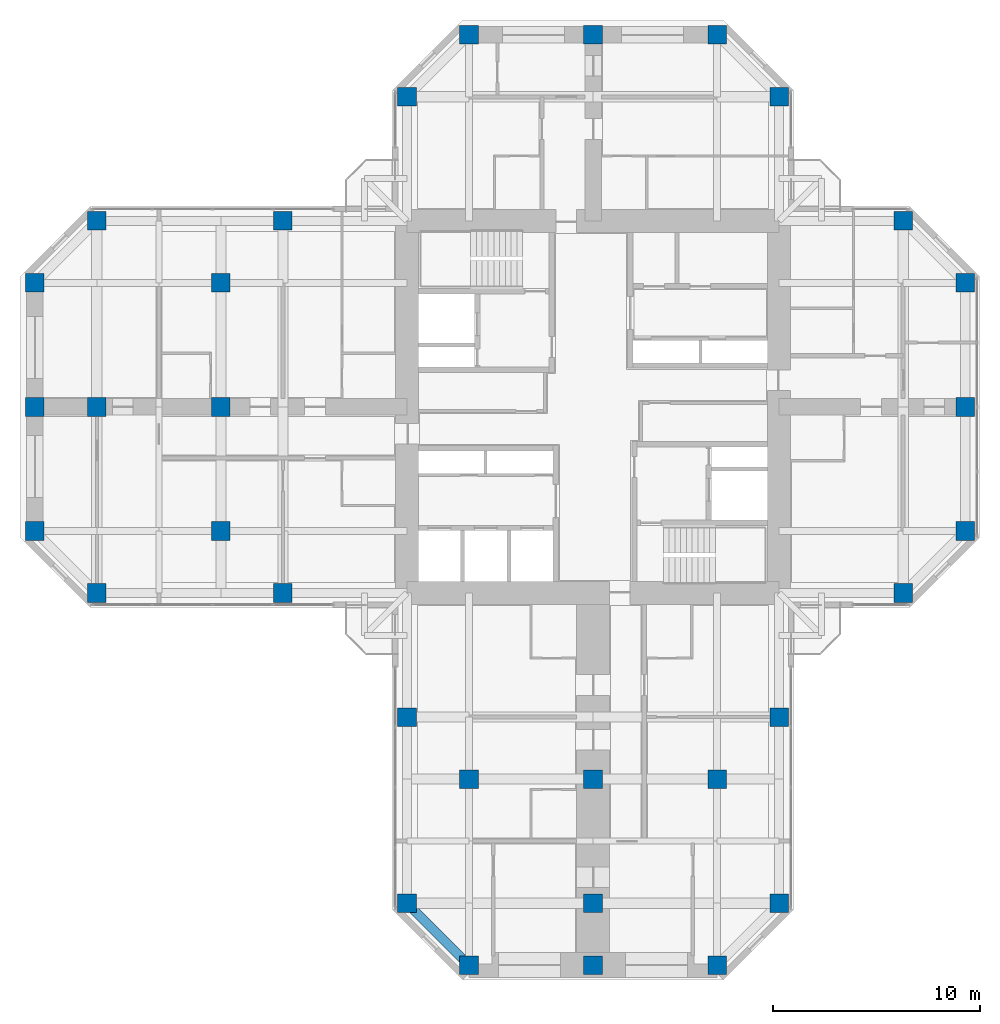
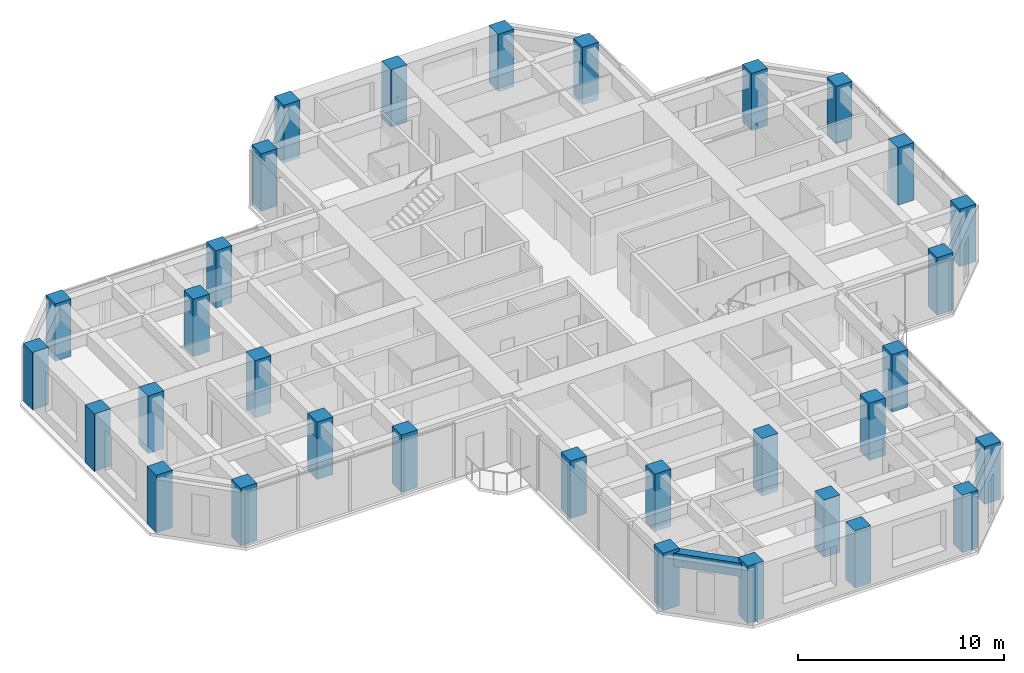
# One storey, part 1 of 14: 32 columns, 1 beam.
"""IFC4 building model written with IfcOpenShell, lengths in metres."""

import ifcopenshell
import ifcopenshell.guid

model = None  # the IFC model being written
_history = None  # IfcOwnerHistory: only IFC2X3 demands one
_inside = {}  # id of a spatial element -> (the spatial element, [elements in it])
_under = {}  # id of a project, library or spatial element -> (it, [spatial elements below it])
_declared = {}  # id of a project -> (the project, [libraries it declares])
_typed = {}  # id of a type object -> (the type object, [elements of that type])
_made_of = {}  # id of a material, layer set ... -> (it, [elements and type objects made of it])


def new_model(schema):
    """Start an empty IFC model of exactly this schema.

    Asked for "IFC4X3", IfcOpenShell would pick the latest addendum, in which some entities
    have other attributes; the version numbers below select the first issue.
    IFC2X3 requires an IfcOwnerHistory on every rooted entity: one is made here for all.
    """
    global model, _history
    if schema == "IFC4X3":
        model = ifcopenshell.file(schema_version=(4, 3, 0, 0))
    else:
        model = ifcopenshell.file(schema=schema)
    _inside.clear()
    _under.clear()
    _declared.clear()
    _typed.clear()
    _made_of.clear()
    _history = None
    if model.schema == "IFC2X3":
        org = make("IfcOrganization", Name="unknown")
        user = make(
            "IfcPersonAndOrganization",
            ThePerson=make("IfcPerson", FamilyName="unknown"),
            TheOrganization=org,
        )
        app = make(
            "IfcApplication",
            ApplicationDeveloper=org,
            Version="unknown",
            ApplicationFullName="unknown",
            ApplicationIdentifier="unknown",
        )
        _history = make(
            "IfcOwnerHistory",
            OwningUser=user,
            OwningApplication=app,
            ChangeAction="ADDED",
            CreationDate=0,
        )
    return model


def make(cls, **values):
    """One entity of the class cls with the attributes given. An attribute that is None is left unset."""
    return model.create_entity(
        cls, **{name: value for name, value in values.items() if value is not None}
    )


def rooted(cls, **values):
    """An entity with a GlobalId (a new one), such as an element, a storey or a relation."""
    return make(cls, GlobalId=ifcopenshell.guid.new(), OwnerHistory=_history, **values)


def si_unit(unit_type, name, prefix=None):
    """IfcSIUnit, for example si_unit("LENGTHUNIT", "METRE", prefix="MILLI")."""
    return make("IfcSIUnit", UnitType=unit_type, Prefix=prefix, Name=name)


def assignment(units):
    """IfcUnitAssignment: the units of a project."""
    return None if units is None else make("IfcUnitAssignment", Units=units)


def point(xyz):
    """IfcCartesianPoint."""
    return None if xyz is None else make("IfcCartesianPoint", Coordinates=xyz)


def direction(xyz):
    """IfcDirection."""
    return None if xyz is None else make("IfcDirection", DirectionRatios=xyz)


def frame(location, z_axis=None, x_axis=None):
    """IfcAxis2Placement3D, a coordinate frame: its origin and axes. An axis left out is left unset."""
    return make(
        "IfcAxis2Placement3D",
        Location=point(location),
        Axis=direction(z_axis),
        RefDirection=direction(x_axis),
    )


def frame_2d(location, x_axis=None):
    """IfcAxis2Placement2D, a coordinate frame in the plane: its origin and x axis."""
    return make(
        "IfcAxis2Placement2D", Location=point(location), RefDirection=direction(x_axis)
    )


def origin():
    """The frame at (0, 0, 0) with its axes left unset."""
    return frame((0.0, 0.0, 0.0))


def origin_2d():
    """The frame at (0, 0) in the plane with its x axis left unset."""
    return frame_2d((0.0, 0.0))


def place(relative_to, where):
    """IfcLocalPlacement: puts the frame where relative to a parent placement (None: the world)."""
    return make(
        "IfcLocalPlacement", PlacementRelTo=relative_to, RelativePlacement=where
    )


def context(
    kind, dimensions, precision=None, world=None, true_north=None, identifier=None
):
    """IfcGeometricRepresentationContext, for example the 3D "Model" context."""
    return make(
        "IfcGeometricRepresentationContext",
        ContextIdentifier=identifier,
        ContextType=kind,
        CoordinateSpaceDimension=dimensions,
        Precision=precision,
        WorldCoordinateSystem=world,
        TrueNorth=true_north,
    )


def subcontext(parent, identifier, kind, view, scale=None):
    """IfcGeometricRepresentationSubContext, for example "Body" below "Model"."""
    return make(
        "IfcGeometricRepresentationSubContext",
        ContextIdentifier=identifier,
        ContextType=kind,
        ParentContext=parent,
        TargetScale=scale,
        TargetView=view,
    )


def project(units=None, contexts=None):
    """IfcProject with its units and contexts."""
    return rooted(
        "IfcProject",
        Name="project",
        RepresentationContexts=contexts,
        UnitsInContext=assignment(units),
    )


def spatial(cls, under=None, at=None, **own):
    """A site, building, storey or space (cls), placed at a placement, below another one or the project."""
    s = rooted(cls, ObjectPlacement=at, **own)
    if under is not None:
        _under.setdefault(under.id(), (under, []))[1].append(s)
    return s


def profile(cls, at=None, kind="AREA", **sizes):
    """A parametric profile (cls). Its sizes go by their IFC names, for example OverallWidth=200.0."""
    return make(cls, ProfileType=kind, Position=at, **sizes)


def rectangle(**sizes):
    """IfcRectangleProfileDef."""
    return profile("IfcRectangleProfileDef", **sizes)


def extrude(swept, where, along, depth):
    """IfcExtrudedAreaSolid: the profile swept, set in the frame where, extruded along a direction by depth."""
    return make(
        "IfcExtrudedAreaSolid",
        SweptArea=swept,
        Position=where,
        ExtrudedDirection=direction(along),
        Depth=depth,
    )


def shape(context_of_items, identifier, shape_type, items):
    """IfcShapeRepresentation: the items that make up one representation, for example the "Body"."""
    return make(
        "IfcShapeRepresentation",
        ContextOfItems=context_of_items,
        RepresentationIdentifier=identifier,
        RepresentationType=shape_type,
        Items=items,
    )


def material(Name=None, Category=None):
    """IfcMaterial."""
    return make("IfcMaterial", Name=Name, Category=Category)


def material_profile(
    of_material, cross_section, Name=None, Category=None, Priority=None
):
    """IfcMaterialProfile: a cross section and its material."""
    return make(
        "IfcMaterialProfile",
        Name=Name,
        Material=of_material,
        Profile=cross_section,
        Priority=Priority,
        Category=Category,
    )


def profile_set(profiles, Name=None, composite=None):
    """IfcMaterialProfileSet."""
    return make(
        "IfcMaterialProfileSet",
        Name=Name,
        MaterialProfiles=profiles,
        CompositeProfile=composite,
    )


def made_of(thing, what):
    """Note that an element or type object is made of a material, layer set ...; save() writes the relation."""
    if what is not None:
        _made_of.setdefault(what.id(), (what, []))[1].append(thing)
    return thing


def type_object(cls, material=None, **own):
    """A type object (cls), such as IfcWallType, which elements share."""
    return made_of(rooted(cls, **own), material)


def element(
    cls,
    number,
    at=None,
    inside=None,
    cuts=None,
    type_object=None,
    material=None,
    context=None,
    identifier="Body",
    shape_type=None,
    held_by="IfcProductDefinitionShape",
    body=None,
    shapes=None,
    **own,
):
    """One element of the class cls, such as IfcWall. Its Tag is "e" and its number.

    at: its placement. inside: the storey or other place that contains it. cuts: it is an
    opening in that element (IfcRelVoidsElement). A single representation is given by context,
    identifier, shape_type and body (its items); several are given by shapes. held_by: the class
    of the entity that holds the representations. save() writes the other relations.
    """
    e = rooted(cls, Tag="e%d" % number, ObjectPlacement=at, **own)
    if body is not None:
        shapes = [shape(context, identifier, shape_type, body)]
    if shapes is not None:
        e.Representation = make(held_by, Representations=shapes)
    if inside is not None:
        _inside.setdefault(inside.id(), (inside, []))[1].append(e)
    if cuts is not None:
        rooted(
            "IfcRelVoidsElement", RelatingBuildingElement=cuts, RelatedOpeningElement=e
        )
    if type_object is not None:
        _typed.setdefault(type_object.id(), (type_object, []))[1].append(e)
    return made_of(e, material)


def aggregate(whole, parts):
    """IfcRelAggregates: a whole, such as a stair, and the parts it consists of."""
    return rooted("IfcRelAggregates", RelatingObject=whole, RelatedObjects=parts)


def save(model, path):
    """Write the relations noted so far, then the file.

    IfcRelAggregates (storeys below a building ...), IfcRelContainedInSpatialStructure (elements
    in a storey), IfcRelDefinesByType, IfcRelAssociatesMaterial and IfcRelDeclares: one each for
    every whole, place, type object, material and project.
    """
    for whole, parts in _under.values():
        aggregate(whole, parts)
    for where, things in _inside.values():
        rooted(
            "IfcRelContainedInSpatialStructure",
            RelatedElements=things,
            RelatingStructure=where,
        )
    for kind, things in _typed.values():
        rooted("IfcRelDefinesByType", RelatedObjects=things, RelatingType=kind)
    for what, things in _made_of.values():
        rooted("IfcRelAssociatesMaterial", RelatedObjects=things, RelatingMaterial=what)
    for by, libraries in _declared.values():
        rooted("IfcRelDeclares", RelatingContext=by, RelatedDefinitions=libraries)
    model.write(path)


model = new_model("IFC4")

# Units and contexts
model_context = context("Model", 3, precision=1e-05, world=origin(), true_north=direction((0.0, 1.0)))
body_context = subcontext(model_context, "Body", "Model", "MODEL_VIEW")
ifc_project = project(units=[si_unit("LENGTHUNIT", "METRE"), si_unit("AREAUNIT", "SQUARE_METRE"), si_unit("VOLUMEUNIT", "CUBIC_METRE"), si_unit("PLANEANGLEUNIT", "RADIAN"), si_unit("MASSUNIT", "GRAM", prefix="KILO")], contexts=[model_context])

# Site, building, storey
site_placement = place(None, origin())
site = spatial("IfcSite", under=ifc_project, at=site_placement, CompositionType="ELEMENT")
building_placement = place(site_placement, origin())
building = spatial("IfcBuilding", under=site, at=building_placement, Name="Torre Cruceta", CompositionType="ELEMENT")
storey_placement = place(building_placement, frame((0.0, 0.0, 203.5)))
storey = spatial("IfcBuildingStorey", under=building, at=storey_placement, Name="L51", CompositionType="ELEMENT", Elevation=203.5)

# Columns
ifc_material_1 = material(Name="Concrete G60 (fck 60 MPa)", Category="concrete")
ifc_material_profile_1 = material_profile(ifc_material_1, rectangle(XDim=0.89990234375, YDim=0.89990234375, at=origin_2d()), Name="RC 900X900")
ifc_profile_set_1 = profile_set([ifc_material_profile_1], Name="Concrete G60 (fck 60 MPa)")
column_type = type_object("IfcColumnType", Name="COLUMN RC 900X900", PredefinedType="COLUMN", material=ifc_profile_set_1)
for number, where, z_axis, x_axis, name in (
    (1, (9.0, 15.0, 0.0), (0.0, 0.0, 1.0), (1.0, 0.0, 0.0), "C6 L51 N chamfer"),
    (2, (-9.0, 15.0, 0.0), (0.0, 0.0, 1.0), (1.0, 0.0, 0.0), "C6 L51 N chamfer"),
    (3, (6.0, 18.0, 0.0), (0.0, 0.0, 1.0), (1.0, 0.0, 0.0), "C6 L51 N tip"),
    (4, (0.0, 18.0, 0.0), (0.0, 0.0, 1.0), (1.0, 0.0, 0.0), "C6 L51 N tip"),
    (5, (-6.0, 18.0, 0.0), (0.0, 0.0, 1.0), (1.0, 0.0, 0.0), "C6 L51 N tip"),
    (6, (15.0, -9.0, 0.0), (0.0, 0.0, 1.0), (1.0, 0.0, 0.0), "C6 L51 E chamfer"),
    (7, (15.0, 9.0, 0.0), (0.0, 0.0, 1.0), (1.0, 0.0, 0.0), "C6 L51 E chamfer"),
    (8, (18.0, -6.0, 0.0), (0.0, 0.0, 1.0), (1.0, 0.0, 0.0), "C6 L51 E tip"),
    (9, (18.0, 0.0, 0.0), (0.0, 0.0, 1.0), (1.0, 0.0, 0.0), "C6 L51 E tip"),
    (10, (18.0, 6.0, 0.0), (0.0, 0.0, 1.0), (1.0, 0.0, 0.0), "C6 L51 E tip"),
    (11, (-9.0, -15.0, 0.0), (0.0, 0.0, 1.0), (1.0, 0.0, 0.0), "C6 L51 S side"),
    (12, (-9.0, -24.0, 0.0), (0.0, 0.0, 1.0), (1.0, 0.0, 0.0), "C6 L51 S chamfer"),
    (13, (9.0, -15.0, 0.0), (0.0, 0.0, 1.0), (1.0, 0.0, 0.0), "C6 L51 S side"),
    (14, (9.0, -24.0, 0.0), (0.0, 0.0, 1.0), (1.0, 0.0, 0.0), "C6 L51 S chamfer"),
    (15, (-6.0, -27.0, 0.0), (0.0, 0.0, 1.0), (1.0, 0.0, 0.0), "C6 L51 S tip"),
    (16, (0.0, -27.0, 0.0), (0.0, 0.0, 1.0), (1.0, 0.0, 0.0), "C6 L51 S tip"),
    (17, (6.0, -27.0, 0.0), (0.0, 0.0, 1.0), (1.0, 0.0, 0.0), "C6 L51 S tip"),
    (18, (-15.0, 9.0, 0.0), (0.0, 0.0, 1.0), (1.0, 0.0, 0.0), "C6 L51 W side"),
    (19, (-24.0, 9.0, 0.0), (0.0, 0.0, 1.0), (1.0, 0.0, 0.0), "C6 L51 W chamfer"),
    (20, (-15.0, -9.0, 0.0), (0.0, 0.0, 1.0), (1.0, 0.0, 0.0), "C6 L51 W side"),
    (21, (-24.0, -9.0, 0.0), (0.0, 0.0, 1.0), (1.0, 0.0, 0.0), "C6 L51 W chamfer"),
    (22, (-27.0, 6.0, 0.0), (0.0, 0.0, 1.0), (1.0, 0.0, 0.0), "C6 L51 W tip"),
    (23, (-27.0, 0.0, 0.0), (0.0, 0.0, 1.0), (1.0, 0.0, 0.0), "C6 L51 W tip"),
    (24, (-27.0, -6.0, 0.0), (0.0, 0.0, 1.0), (1.0, 0.0, 0.0), "C6 L51 W tip"),
    (25, (-6.0, -18.0, 0.0), (0.0, 0.0, 1.0), (1.0, 0.0, 0.0), "C6 L51 S interior"),
    (26, (0.0, -18.0, 0.0), (0.0, 0.0, 1.0), (1.0, 0.0, 0.0), "C6 L51 S interior"),
    (27, (6.0, -18.0, 0.0), (0.0, 0.0, 1.0), (1.0, 0.0, 0.0), "C6 L51 S interior"),
    (28, (0.0, -24.0, 0.0), (0.0, 0.0, 1.0), (1.0, 0.0, 0.0), "C6 L51 S interior"),
    (29, (-18.0, 6.0, 0.0), (0.0, 0.0, 1.0), (1.0, 0.0, 0.0), "C6 L51 W interior"),
    (30, (-18.0, 0.0, 0.0), (0.0, 0.0, 1.0), (1.0, 0.0, 0.0), "C6 L51 W interior"),
    (31, (-18.0, -6.0, 0.0), (0.0, 0.0, 1.0), (1.0, 0.0, 0.0), "C6 L51 W interior"),
    (32, (-24.0, 0.0, 0.0), (0.0, 0.0, 1.0), (1.0, 0.0, 0.0), "C6 L51 W interior"),
):
    element("IfcColumn", number, at=place(storey_placement, frame(where, z_axis=z_axis, x_axis=x_axis)), inside=storey, type_object=column_type, Name=name, PredefinedType="COLUMN", context=body_context, shape_type="SweptSolid", body=[
        extrude(rectangle(XDim=0.89990234375, YDim=0.89990234375, at=origin_2d()), origin(), (0.0, 0.0, 1.0), 3.39990234375),
    ])

# Beam
ifc_material_2 = material(Name="Concrete G60 (fck 60 MPa)", Category="concrete")
ifc_material_profile_2 = material_profile(ifc_material_2, rectangle(XDim=0.449951171875, YDim=0.800048828125, at=origin_2d()), Name="RC 450X800")
ifc_profile_set_2 = profile_set([ifc_material_profile_2], Name="Concrete G60 (fck 60 MPa)")
beam_type = type_object("IfcBeamType", Name="SPANDREL BEAM RC 450X800", PredefinedType="SPANDREL", material=ifc_profile_set_2)
beam_placement = place(storey_placement, frame((-9.0, -24.0, 2.820068359375), z_axis=(0.707106781187, -0.707106781187, 0.0), x_axis=(0.707106781187, 0.707106781187, 0.0)))
element("IfcBeam", 33, at=beam_placement, inside=storey, type_object=beam_type, Name="SB6 L51 S side- 5", PredefinedType="SPANDREL", context=body_context, shape_type="SweptSolid", body=[
    extrude(rectangle(XDim=0.449951171875, YDim=0.800048828125, at=origin_2d()), origin(), (0.0, 0.0, 1.0), 4.24267578125),
])

save(model, "model.ifc")
